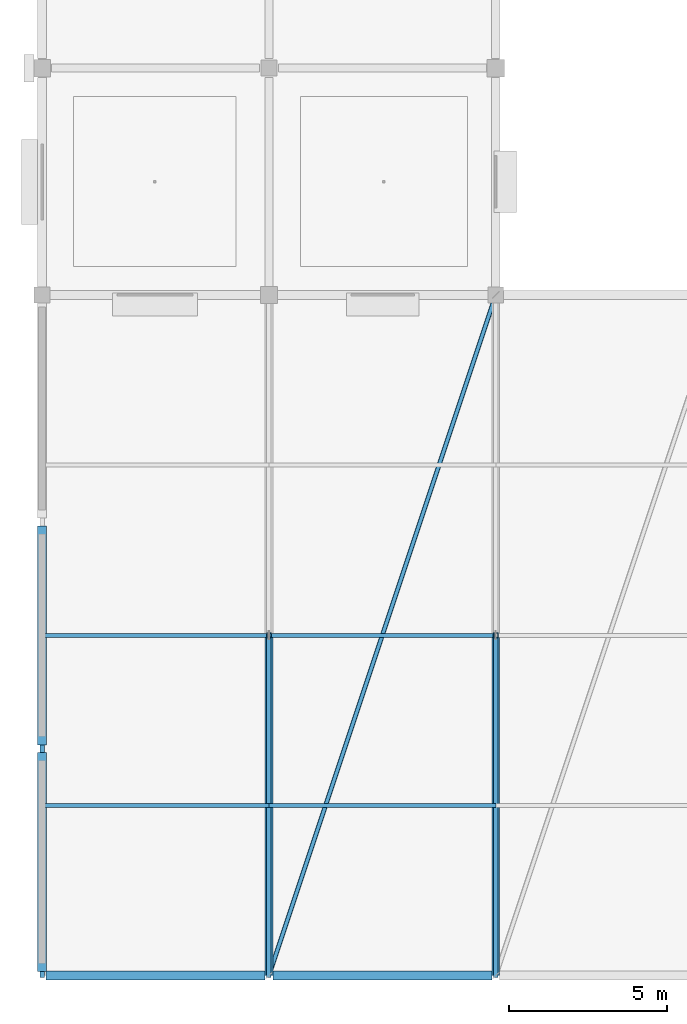
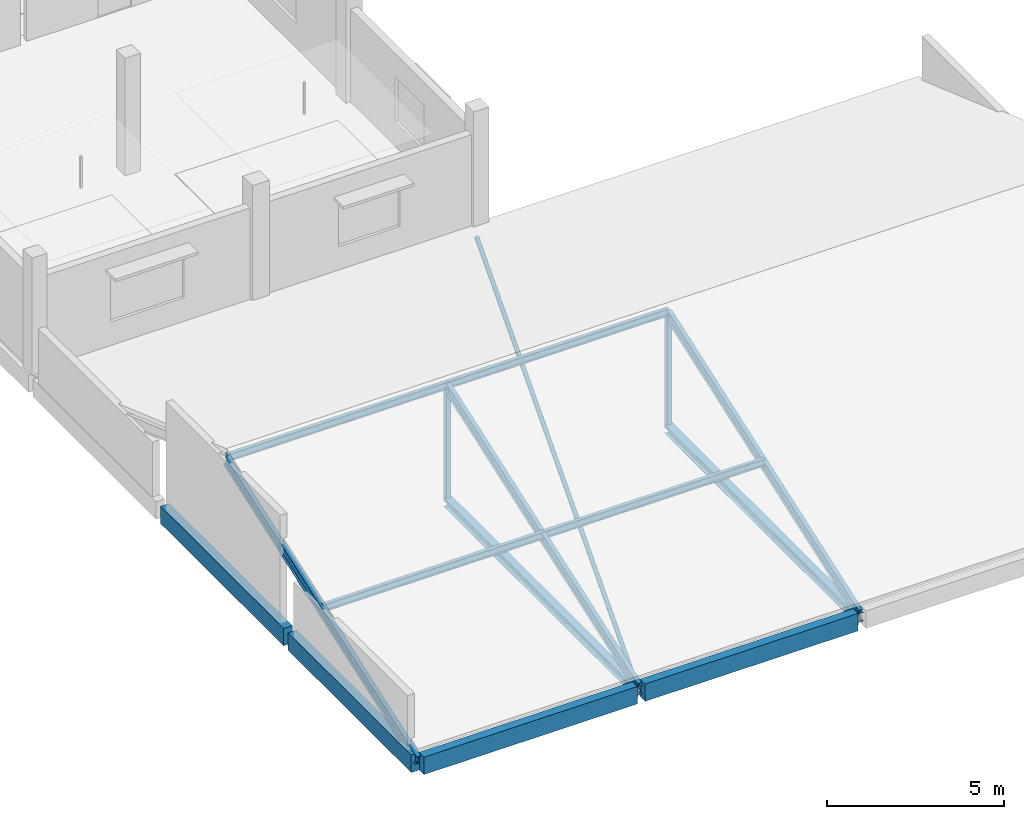
# One storey, part 3 of 108: 12 members, 4 beams.
"""IFC4 building model written with IfcOpenShell, lengths in metres."""

from ifc_helpers import new_model, si_unit, direction, frame, origin, origin_2d, place, context, subcontext, project, spatial, rectangle, hollow_rectangle, hollow_circle, i_section, extrude, material, material_profile, profile_set, type_object, element, save


model = new_model("IFC4")

# Units and contexts
model_context = context("Model", 3, precision=1e-05, world=origin(), true_north=direction((0.0, 1.0)))
body_context = subcontext(model_context, "Body", "Model", "MODEL_VIEW")
ifc_project = project(units=[si_unit("LENGTHUNIT", "METRE"), si_unit("AREAUNIT", "SQUARE_METRE"), si_unit("VOLUMEUNIT", "CUBIC_METRE"), si_unit("PLANEANGLEUNIT", "RADIAN"), si_unit("MASSUNIT", "GRAM", prefix="KILO")], contexts=[model_context])

# Site, building, storey
site_placement = place(None, origin())
site = spatial("IfcSite", under=ifc_project, at=site_placement, CompositionType="ELEMENT")
building_placement = place(site_placement, origin())
building = spatial("IfcBuilding", under=site, at=building_placement, Name="Kangsadwip Square Police Headquarters", CompositionType="ELEMENT")
storey_placement = place(building_placement, frame((0.0, 0.0, 9.449951171875)))
storey = spatial("IfcBuildingStorey", under=building, at=storey_placement, Name="L02", CompositionType="ELEMENT", Elevation=9.449951171875)

# Members
ifc_material_1 = material(Name="Structural steel IS 2062 E350 (Grade 350, 350 MPa)", Category="steel")
ifc_material_profile_1 = material_profile(ifc_material_1, i_section(OverallWidth=0.139892578125, OverallDepth=0.35009765625, WebThickness=0.008056640625, FlangeThickness=0.01416015625, at=origin_2d()), Name="ISMB 350")
ifc_profile_set_1 = profile_set([ifc_material_profile_1], Name="Structural steel IS 2062 E350 (Grade 350, 350 MPa)")
member_type_1 = type_object("IfcMemberType", Name="PavilionRafterIsmb350", PredefinedType="RAFTER", material=ifc_profile_set_1)
for number, where, z_axis, x_axis, name in (
    (1, (0.0, 0.0, -0.3798828125), (0.0, 0.943311525379, 0.331908671305), (-1.0, 0.0, 0.0), "Truss Member MEM-L02-0237"),
    (2, (7.199951171875, 0.0, -0.3798828125), (0.0, 0.943311525379, 0.331908671305), (-1.0, 0.0, 0.0), "Truss Member MEM-L02-0242"),
    (3, (14.39990234375, 0.0, -0.3798828125), (0.0, 0.943311525379, 0.331908671305), (-1.0, 0.0, 0.0), "Truss Member MEM-L02-0247"),
):
    element("IfcMember", number, at=place(storey_placement, frame(where, z_axis=z_axis, x_axis=x_axis)), inside=storey, type_object=member_type_1, Name=name, PredefinedType="RAFTER", context=body_context, shape_type="SweptSolid", body=[
        extrude(i_section(OverallWidth=0.139892578125, OverallDepth=0.35009765625, WebThickness=0.008056640625, FlangeThickness=0.01416015625, at=origin_2d()), origin(), (0.0, 0.0, 1.0), 11.448974609375),
    ])

# Beams
ifc_material_2 = material(Name="Concrete M40 (40 MPa)", Category="concrete")
ifc_material_profile_2 = material_profile(ifc_material_2, rectangle(XDim=0.280029296875, YDim=0.60009765625, at=origin_2d()), Name="RC SPN 600X280")
ifc_profile_set_2 = profile_set([ifc_material_profile_2], Name="Concrete M40 (40 MPa)")
beam_type = type_object("IfcBeamType", Name="RcSpandrel600x280", PredefinedType="SPANDREL", material=ifc_profile_set_2)
for number, where, z_axis, x_axis, name in (
    (4, (0.125, 0.0, -0.5400390625), (1.0, 0.0, 0.0), (0.0, 1.0, 0.0), "Beam BM-L02-X-00-00"),
    (5, (7.324951171875, 0.0, -0.5400390625), (1.0, 0.0, 0.0), (0.0, 1.0, 0.0), "Beam BM-L02-X-01-00"),
    (6, (0.0, 0.125, -0.5400390625), (0.0, 1.0, 0.0), (-1.0, 0.0, 0.0), "Beam BM-L02-Y-00-00"),
    (7, (0.0, 7.324951171875, -0.5400390625), (0.0, 1.0, 0.0), (-1.0, 0.0, 0.0), "Beam BM-L02-Y-00-01"),
):
    element("IfcBeam", number, at=place(storey_placement, frame(where, z_axis=z_axis, x_axis=x_axis)), inside=storey, type_object=beam_type, Name=name, PredefinedType="SPANDREL", context=body_context, shape_type="SweptSolid", body=[
        extrude(rectangle(XDim=0.280029296875, YDim=0.60009765625, at=origin_2d()), origin(), (0.0, 0.0, 1.0), 6.949951171875),
    ])

# Members
ifc_material_3 = material(Name="Structural steel IS 2062 E350 (Grade 350, 350 MPa)", Category="steel")
ifc_material_profile_3 = material_profile(ifc_material_3, i_section(OverallWidth=0.125, OverallDepth=0.25, WebThickness=0.0068359375, FlangeThickness=0.012451171875, at=origin_2d()), Name="ISMB 250")
ifc_profile_set_3 = profile_set([ifc_material_profile_3], Name="Structural steel IS 2062 E350 (Grade 350, 350 MPa)")
member_type_2 = type_object("IfcMemberType", Name="RoofPurlinIsmb250", PredefinedType="PURLIN", material=ifc_profile_set_3)
for number, where, z_axis, x_axis, name in (
    (8, (0.0, 5.39990234375, 1.594970703125), (1.0, 0.0, 0.0), (0.0, 1.0, 0.0), "Truss Member MEM-L02-0256"),
    (9, (0.0, 10.800048828125, 3.4951171875), (1.0, 0.0, 0.0), (0.0, 1.0, 0.0), "Truss Member MEM-L02-0257"),
    (10, (7.199951171875, 5.39990234375, 1.594970703125), (1.0, 0.0, 0.0), (0.0, 1.0, 0.0), "Truss Member MEM-L02-0259"),
    (11, (7.199951171875, 10.800048828125, 3.4951171875), (1.0, 0.0, 0.0), (0.0, 1.0, 0.0), "Truss Member MEM-L02-0260"),
):
    element("IfcMember", number, at=place(storey_placement, frame(where, z_axis=z_axis, x_axis=x_axis)), inside=storey, type_object=member_type_2, Name=name, PredefinedType="PURLIN", context=body_context, shape_type="SweptSolid", body=[
        extrude(i_section(OverallWidth=0.125, OverallDepth=0.25, WebThickness=0.0068359375, FlangeThickness=0.012451171875, at=origin_2d()), origin(), (0.0, 0.0, 1.0), 7.199951171875),
    ])
ifc_material_4 = material(Name="Structural steel IS 2062 E350 (Grade 350, 350 MPa)", Category="steel")
ifc_material_profile_4 = material_profile(ifc_material_4, hollow_circle(Radius=0.070068359375, WallThickness=0.006103515625, at=origin_2d()), Name="CHS 140X6")
ifc_profile_set_4 = profile_set([ifc_material_profile_4], Name="Structural steel IS 2062 E350 (Grade 350, 350 MPa)")
member_type_3 = type_object("IfcMemberType", Name="RoofWindBraceChs140", PredefinedType="BRACE", material=ifc_profile_set_4)
member_placement = place(storey_placement, frame((7.199951171875, 0.0, -0.52001953125), z_axis=(0.316224549191, 0.94868437032, 0.0), x_axis=(-0.94868437032, 0.316224549191, 0.0)))
element("IfcMember", 12, at=member_placement, inside=storey, type_object=member_type_3, Name="Truss Member MEM-L02-0262", PredefinedType="BRACE", context=body_context, shape_type="SweptSolid", body=[
    extrude(hollow_circle(Radius=0.070068359375, WallThickness=0.006103515625, at=origin_2d()), origin(), (0.0, 0.0, 1.0), 22.7685546875),
])
ifc_material_5 = material(Name="Structural steel IS 2062 E350 (Grade 350, 350 MPa)", Category="steel")
ifc_material_profile_5 = material_profile(ifc_material_5, i_section(OverallWidth=0.25, OverallDepth=0.300048828125, WebThickness=0.009521484375, FlangeThickness=0.010498046875, at=origin_2d()), Name="ISHB 300")
ifc_profile_set_5 = profile_set([ifc_material_profile_5], Name="Structural steel IS 2062 E350 (Grade 350, 350 MPa)")
member_type_4 = type_object("IfcMemberType", Name="TrussBotChordIshb300", PredefinedType="CHORD", material=ifc_profile_set_5)
for number, where, z_axis, x_axis, name in (
    (13, (7.199951171875, 0.0, -0.52001953125), (0.0, 1.0, 0.0), (-1.0, 0.0, 0.0), "Truss Member MEM-L02-0239"),
    (14, (14.39990234375, 0.0, -0.52001953125), (0.0, 1.0, 0.0), (-1.0, 0.0, 0.0), "Truss Member MEM-L02-0244"),
):
    element("IfcMember", number, at=place(storey_placement, frame(where, z_axis=z_axis, x_axis=x_axis)), inside=storey, type_object=member_type_4, Name=name, PredefinedType="CHORD", context=body_context, shape_type="SweptSolid", body=[
        extrude(i_section(OverallWidth=0.25, OverallDepth=0.300048828125, WebThickness=0.009521484375, FlangeThickness=0.010498046875, at=origin_2d()), origin(), (0.0, 0.0, 1.0), 10.800048828125),
    ])
ifc_material_6 = material(Name="Structural steel IS 2062 E350 (Grade 350, 350 MPa)", Category="steel")
ifc_material_profile_6 = material_profile(ifc_material_6, hollow_rectangle(XDim=0.14990234375, YDim=0.14990234375, WallThickness=0.008056640625, at=origin_2d()), Name="SHS 150X150X8")
ifc_profile_set_6 = profile_set([ifc_material_profile_6], Name="Structural steel IS 2062 E350 (Grade 350, 350 MPa)")
member_type_5 = type_object("IfcMemberType", Name="TrussPostShs150", PredefinedType="POST", material=ifc_profile_set_6)
for number, where, z_axis, x_axis, name in (
    (15, (7.199951171875, 10.800048828125, -0.52001953125), (0.0, 0.0, 1.0), (1.0, 0.0, 0.0), "Truss Member MEM-L02-0241"),
    (16, (14.39990234375, 10.800048828125, -0.52001953125), (0.0, 0.0, 1.0), (1.0, 0.0, 0.0), "Truss Member MEM-L02-0246"),
):
    element("IfcMember", number, at=place(storey_placement, frame(where, z_axis=z_axis, x_axis=x_axis)), inside=storey, type_object=member_type_5, Name=name, PredefinedType="POST", context=body_context, shape_type="SweptSolid", body=[
        extrude(hollow_rectangle(XDim=0.14990234375, YDim=0.14990234375, WallThickness=0.008056640625, at=origin_2d()), origin(), (0.0, 0.0, 1.0), 3.940185546875),
    ])

save(model, "model.ifc")
